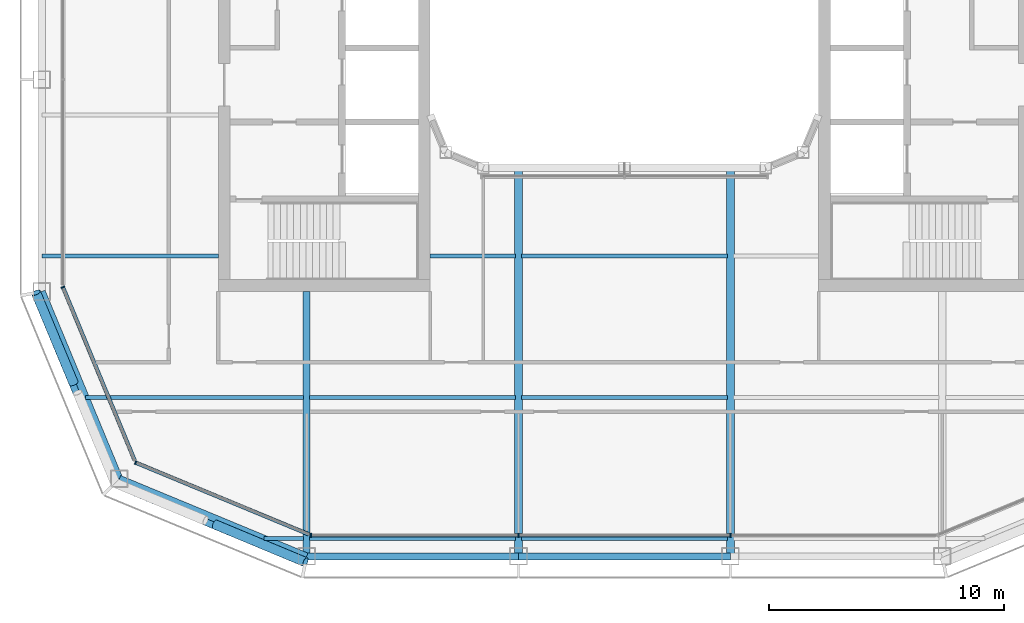
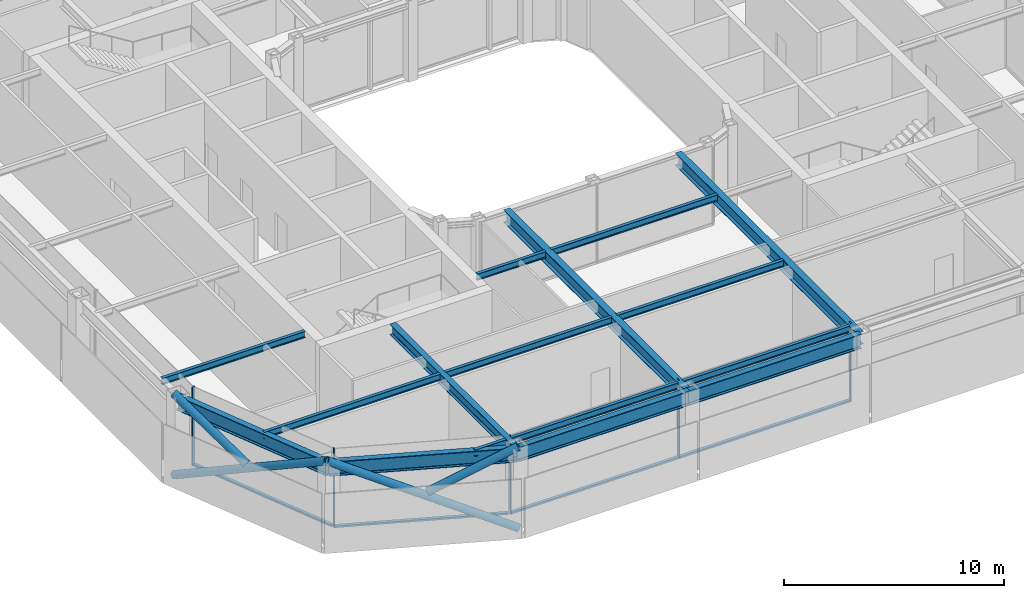
# One storey, part 2 of 17: 16 beams, 13 members, 3 elements without a shape of their own.
"""IFC4 building model written with IfcOpenShell, lengths in metres."""

from ifc_helpers import new_model, si_unit, direction, frame, origin, origin_2d, place, context, subcontext, project, spatial, rectangle, hollow_circle, i_section, extrude, material, layer, layer_set, material_profile, profile_set, type_object, element, aggregate, save


model = new_model("IFC4")

# Units and contexts
model_context = context("Model", 3, precision=1e-05, world=origin(), true_north=direction((0.0, 1.0)))
body_context = subcontext(model_context, "Body", "Model", "MODEL_VIEW")
ifc_project = project(units=[si_unit("LENGTHUNIT", "METRE"), si_unit("AREAUNIT", "SQUARE_METRE"), si_unit("VOLUMEUNIT", "CUBIC_METRE"), si_unit("PLANEANGLEUNIT", "RADIAN"), si_unit("MASSUNIT", "GRAM", prefix="KILO")], contexts=[model_context])

# Site, building, storey
site_placement = place(None, origin())
site = spatial("IfcSite", under=ifc_project, at=site_placement, CompositionType="ELEMENT")
building_placement = place(site_placement, origin())
building = spatial("IfcBuilding", under=site, at=building_placement, Name="Siwar Civic Tower", CompositionType="ELEMENT")
storey_placement = place(building_placement, frame((0.0, 0.0, 289.699951171875)))
storey = spatial("IfcBuildingStorey", under=building, at=storey_placement, Name="L62", CompositionType="ELEMENT", Elevation=289.699951171875)

# Curtain wall, members
ifc_material_1 = material(Name="Aluminium and glass", Category="aluminium")
ifc_layer_1 = layer(ifc_material_1, 0.159912109375)
ifc_layer_set_1 = layer_set([ifc_layer_1], Name="Aluminium and glass")
curtain_wall_type_1 = type_object("IfcCurtainWallType", Name="ENV-CW-D", PredefinedType="NOTDEFINED", material=ifc_layer_set_1)
curtain_wall_1_placement = place(storey_placement, origin())
curtain_wall_1 = element("IfcCurtainWall", 1, at=curtain_wall_1_placement, inside=storey, type_object=curtain_wall_type_1, Name="Curtain wall D S", PredefinedType="NOTDEFINED")
ifc_material_2 = material(Name="Aluminium 6063-T6", Category="aluminium")
ifc_material_profile_1 = material_profile(ifc_material_2, rectangle(XDim=0.159912109375, YDim=0.06005859375, at=origin_2d()), Name="AL 160x60")
ifc_profile_set_1 = profile_set([ifc_material_profile_1], Name="Aluminium 6063-T6")
member_type_1 = type_object("IfcMemberType", Name="ENV-MULLION-D", PredefinedType="MULLION", material=ifc_profile_set_1)
member_1_placement = place(storey_placement, frame((-13.321044921875, -23.85009765625, 0.0), z_axis=(0.0, 0.0, 1.0), x_axis=(0.0, 1.0, 0.0)))
member_1 = element("IfcMember", 2, at=member_1_placement, type_object=member_type_1, Name="Mullion D S 1", PredefinedType="MULLION", context=body_context, shape_type="SweptSolid", body=[
    extrude(rectangle(XDim=0.159912109375, YDim=0.06005859375, at=origin_2d()), origin(), (0.0, 0.0, 1.0), 4.35009765625),
])
member_2_placement = place(storey_placement, frame((-4.5, -23.85009765625, 0.0), z_axis=(0.0, 0.0, 1.0), x_axis=(0.0, 1.0, 0.0)))
member_2 = element("IfcMember", 3, at=member_2_placement, type_object=member_type_1, Name="Mullion D S 2", PredefinedType="MULLION", context=body_context, shape_type="SweptSolid", body=[
    extrude(rectangle(XDim=0.159912109375, YDim=0.06005859375, at=origin_2d()), origin(), (0.0, 0.0, 1.0), 4.35009765625),
])
member_3_placement = place(storey_placement, frame((4.5, -23.85009765625, 0.0), z_axis=(0.0, 0.0, 1.0), x_axis=(0.0, 1.0, 0.0)))
member_3 = element("IfcMember", 4, at=member_3_placement, type_object=member_type_1, Name="Mullion D S 3", PredefinedType="MULLION", context=body_context, shape_type="SweptSolid", body=[
    extrude(rectangle(XDim=0.159912109375, YDim=0.06005859375, at=origin_2d()), origin(), (0.0, 0.0, 1.0), 4.35009765625),
])

# Curtain wall, member
ifc_material_3 = material(Name="Aluminium clad insulated panel", Category="aluminium")
ifc_layer_2 = layer(ifc_material_3, 0.159912109375)
ifc_layer_set_2 = layer_set([ifc_layer_2], Name="Aluminium clad insulated panel")
curtain_wall_type_2 = type_object("IfcCurtainWallType", Name="ENV-CW-DX", PredefinedType="NOTDEFINED", material=ifc_layer_set_2)
curtain_wall_2_placement = place(storey_placement, origin())
curtain_wall_2 = element("IfcCurtainWall", 5, at=curtain_wall_2_placement, inside=storey, type_object=curtain_wall_type_2, Name="Curtain wall D SW1", PredefinedType="NOTDEFINED")
member_4_placement = place(storey_placement, frame((-23.85009765625, -13.321044921875, 0.0), z_axis=(0.0, 0.0, 1.0), x_axis=(0.923879532511, 0.382683432365, 0.0)))
member_4 = element("IfcMember", 6, at=member_4_placement, type_object=member_type_1, Name="Mullion D SW1 1", PredefinedType="MULLION", context=body_context, shape_type="SweptSolid", body=[
    extrude(rectangle(XDim=0.159912109375, YDim=0.06005859375, at=origin_2d()), origin(), (0.0, 0.0, 1.0), 4.35009765625),
])

curtain_wall_3_placement = place(storey_placement, origin())
curtain_wall_3 = element("IfcCurtainWall", 7, at=curtain_wall_3_placement, inside=storey, type_object=curtain_wall_type_2, Name="Curtain wall D SW2", PredefinedType="NOTDEFINED")
member_5_placement = place(storey_placement, frame((-20.76611328125, -20.76611328125, 0.0), z_axis=(0.0, 0.0, 1.0), x_axis=(0.382683432365, 0.923879532511, 0.0)))
member_5 = element("IfcMember", 8, at=member_5_placement, type_object=member_type_1, Name="Mullion D SW2 1", PredefinedType="MULLION", context=body_context, shape_type="SweptSolid", body=[
    extrude(rectangle(XDim=0.159912109375, YDim=0.06005859375, at=origin_2d()), origin(), (0.0, 0.0, 1.0), 4.35009765625),
])

# Member
ifc_material_4 = material(Name="Aluminium 6063-T6", Category="aluminium")
ifc_material_profile_2 = material_profile(ifc_material_4, rectangle(XDim=0.159912109375, YDim=0.10009765625, at=origin_2d()), Name="AL 160x100")
ifc_profile_set_2 = profile_set([ifc_material_profile_2], Name="Aluminium 6063-T6")
member_type_2 = type_object("IfcMemberType", Name="ENV-TRANSOM-D", PredefinedType="USERDEFINED", material=ifc_profile_set_2)
member_6_placement = place(storey_placement, frame((-13.291015625, -23.85009765625, 0.050048828125), z_axis=(1.0, 0.0, 0.0), x_axis=(0.0, 1.0, 0.0)))
member_6 = element("IfcMember", 9, at=member_6_placement, type_object=member_type_2, Name="Transom D S 1", ObjectType="TRANSOM", PredefinedType="USERDEFINED", context=body_context, shape_type="SweptSolid", body=[
    extrude(rectangle(XDim=0.159912109375, YDim=0.10009765625, at=origin_2d()), origin(), (0.0, 0.0, 1.0), 8.760986328125),
])

member_7_placement = place(storey_placement, frame((-4.469970703125, -23.85009765625, 0.050048828125), z_axis=(1.0, 0.0, 0.0), x_axis=(0.0, 1.0, 0.0)))
member_7 = element("IfcMember", 10, at=member_7_placement, type_object=member_type_2, Name="Transom D S 2", ObjectType="TRANSOM", PredefinedType="USERDEFINED", context=body_context, shape_type="SweptSolid", body=[
    extrude(rectangle(XDim=0.159912109375, YDim=0.10009765625, at=origin_2d()), origin(), (0.0, 0.0, 1.0), 8.93994140625),
])

aggregate(curtain_wall_1, [member_1, member_2, member_3, member_6, member_7])

member_8_placement = place(storey_placement, frame((-23.838623046875, -13.3486328125, 0.050048828125), z_axis=(0.382699790424, -0.923872756612, 0.0), x_axis=(0.923872756612, 0.382699790424, 0.0)))
member_8 = element("IfcMember", 11, at=member_8_placement, type_object=member_type_2, Name="Transom D SW1 1", ObjectType="TRANSOM", PredefinedType="USERDEFINED", context=body_context, shape_type="SweptSolid", body=[
    extrude(rectangle(XDim=0.159912109375, YDim=0.10009765625, at=origin_2d()), origin(), (0.0, 0.0, 1.0), 7.930908203125),
])

aggregate(curtain_wall_2, [member_4, member_8])

member_9_placement = place(storey_placement, frame((-20.738525390625, -20.777587890625, 0.050048828125), z_axis=(0.923883640343, -0.382673515031, 0.0), x_axis=(0.382673515031, 0.923883640343, 0.0)))
member_9 = element("IfcMember", 12, at=member_9_placement, type_object=member_type_2, Name="Transom D SW2 1", ObjectType="TRANSOM", PredefinedType="USERDEFINED", context=body_context, shape_type="SweptSolid", body=[
    extrude(rectangle(XDim=0.159912109375, YDim=0.10009765625, at=origin_2d()), origin(), (0.0, 0.0, 1.0), 7.930908203125),
])

aggregate(curtain_wall_3, [member_5, member_9])

# Members
ifc_material_5 = material(Name="Steel S355", Category="steel")
ifc_material_profile_3 = material_profile(ifc_material_5, hollow_circle(Radius=0.203125, WallThickness=0.01611328125, at=origin_2d()), Name="CHS406.4x16")
ifc_profile_set_3 = profile_set([ifc_material_profile_3], Name="Steel S355")
member_type_3 = type_object("IfcMemberType", Name="STR-BR-CHS406.4x16", PredefinedType="BRACE", material=ifc_profile_set_3)
member_10_placement = place(storey_placement, frame((-13.548828125, -24.9951171875, 0.0), z_axis=(-0.821142553604, 0.341671493852, 0.457149315816), x_axis=(-0.384163874976, -0.923264922524, 0.0)))
element("IfcMember", 13, at=member_10_placement, inside=storey, type_object=member_type_3, Name="L62/brc/DSW1-1-0-1", PredefinedType="BRACE", context=body_context, shape_type="SweptSolid", body=[
    extrude(hollow_circle(Radius=0.203125, WallThickness=0.01611328125, at=origin_2d()), origin(), (0.0, 0.0, 1.0), 9.843505859375),
])
member_11_placement = place(storey_placement, frame((-17.38916015625, -23.397216796875, 2.362060546875), z_axis=(0.821149689876, -0.341667178655, 0.457139722456), x_axis=(0.384156893273, 0.923267827529, 0.0)))
element("IfcMember", 14, at=member_11_placement, inside=storey, type_object=member_type_3, Name="L62/brc/DSW1-1-0-3", PredefinedType="BRACE", context=body_context, shape_type="SweptSolid", body=[
    extrude(hollow_circle(Radius=0.203125, WallThickness=0.01611328125, at=origin_2d()), origin(), (0.0, 0.0, 1.0), 4.6767578125),
])
member_12_placement = place(storey_placement, frame((-24.9951171875, -13.548828125, 0.0), z_axis=(0.341671493852, -0.821142553604, 0.457149315816), x_axis=(0.923264922524, 0.384163874976, 0.0)))
element("IfcMember", 15, at=member_12_placement, inside=storey, type_object=member_type_3, Name="L62/brc/DSW1-1-0-0", PredefinedType="BRACE", context=body_context, shape_type="SweptSolid", body=[
    extrude(hollow_circle(Radius=0.203125, WallThickness=0.01611328125, at=origin_2d()), origin(), (0.0, 0.0, 1.0), 9.843505859375),
])
member_13_placement = place(storey_placement, frame((-23.397216796875, -17.38916015625, 2.362060546875), z_axis=(-0.341667178655, 0.821149689876, 0.457139722456), x_axis=(-0.923267827529, -0.384156893273, 0.0)))
element("IfcMember", 16, at=member_13_placement, inside=storey, type_object=member_type_3, Name="L62/brc/DSW1-1-0-5", PredefinedType="BRACE", context=body_context, shape_type="SweptSolid", body=[
    extrude(hollow_circle(Radius=0.203125, WallThickness=0.01611328125, at=origin_2d()), origin(), (0.0, 0.0, 1.0), 4.6767578125),
])

# Beams
ifc_material_6 = material(Name="Steel S355", Category="steel")
ifc_material_profile_4 = material_profile(ifc_material_6, i_section(OverallWidth=0.169921875, OverallDepth=0.360107421875, WebThickness=0.008056640625, FlangeThickness=0.0126953125, FilletRadius=0.01806640625, at=origin_2d()), Name="IPE360")
ifc_profile_set_4 = profile_set([ifc_material_profile_4], Name="Steel S355")
beam_type_1 = type_object("IfcBeamType", Name="STR-FB-IPE360", PredefinedType="JOIST", material=ifc_profile_set_4)
beam_1_placement = place(storey_placement, frame((-15.310546875, -24.0, 4.170166015625), z_axis=(1.0, 0.0, 0.0), x_axis=(0.0, 1.0, 0.0)))
element("IfcBeam", 17, at=beam_1_placement, inside=storey, type_object=beam_type_1, Name="L62/bm/F001", PredefinedType="JOIST", context=body_context, shape_type="SweptSolid", body=[
    extrude(i_section(OverallWidth=0.169921875, OverallDepth=0.360107421875, WebThickness=0.008056640625, FlangeThickness=0.0126953125, FilletRadius=0.01806640625, at=origin_2d()), origin(), (0.0, 0.0, 1.0), 1.6806640625),
])
for number, where, z_axis, x_axis, name in (
    (18, (-13.3701171875, -24.0, 4.170166015625), (1.0, 0.0, 0.0), (0.0, 1.0, 0.0), "L62/bm/F002"),
    (19, (-4.3701171875, -24.0, 4.170166015625), (1.0, 0.0, 0.0), (0.0, 1.0, 0.0), "L62/bm/F003"),
):
    element("IfcBeam", number, at=place(storey_placement, frame(where, z_axis=z_axis, x_axis=x_axis)), inside=storey, type_object=beam_type_1, Name=name, PredefinedType="JOIST", context=body_context, shape_type="SweptSolid", body=[
        extrude(i_section(OverallWidth=0.169921875, OverallDepth=0.360107421875, WebThickness=0.008056640625, FlangeThickness=0.0126953125, FilletRadius=0.01806640625, at=origin_2d()), origin(), (0.0, 0.0, 1.0), 8.740234375),
    ])
beam_2_placement = place(storey_placement, frame((-22.885986328125, -18.0, 4.170166015625), z_axis=(1.0, 0.0, 0.0), x_axis=(0.0, 1.0, 0.0)))
element("IfcBeam", 20, at=beam_2_placement, inside=storey, type_object=beam_type_1, Name="L62/bm/F006", PredefinedType="JOIST", context=body_context, shape_type="SweptSolid", body=[
    extrude(i_section(OverallWidth=0.169921875, OverallDepth=0.360107421875, WebThickness=0.008056640625, FlangeThickness=0.0126953125, FilletRadius=0.01806640625, at=origin_2d()), origin(), (0.0, 0.0, 1.0), 9.256103515625),
])
for number, where, z_axis, x_axis, name in (
    (21, (-13.3701171875, -18.0, 4.170166015625), (1.0, 0.0, 0.0), (0.0, 1.0, 0.0), "L62/bm/F007"),
    (22, (-4.3701171875, -18.0, 4.170166015625), (1.0, 0.0, 0.0), (0.0, 1.0, 0.0), "L62/bm/F008"),
):
    element("IfcBeam", number, at=place(storey_placement, frame(where, z_axis=z_axis, x_axis=x_axis)), inside=storey, type_object=beam_type_1, Name=name, PredefinedType="JOIST", context=body_context, shape_type="SweptSolid", body=[
        extrude(i_section(OverallWidth=0.169921875, OverallDepth=0.360107421875, WebThickness=0.008056640625, FlangeThickness=0.0126953125, FilletRadius=0.01806640625, at=origin_2d()), origin(), (0.0, 0.0, 1.0), 8.740234375),
    ])
beam_3_placement = place(storey_placement, frame((-24.75, -12.0, 4.170166015625), z_axis=(1.0, 0.0, 0.0), x_axis=(0.0, 1.0, 0.0)))
element("IfcBeam", 23, at=beam_3_placement, inside=storey, type_object=beam_type_1, Name="L62/bm/F011", PredefinedType="JOIST", context=body_context, shape_type="SweptSolid", body=[
    extrude(i_section(OverallWidth=0.169921875, OverallDepth=0.360107421875, WebThickness=0.008056640625, FlangeThickness=0.0126953125, FilletRadius=0.01806640625, at=origin_2d()), origin(), (0.0, 0.0, 1.0), 7.5),
])
beam_4_placement = place(storey_placement, frame((-8.25, -12.0, 4.170166015625), z_axis=(1.0, 0.0, 0.0), x_axis=(0.0, 1.0, 0.0)))
element("IfcBeam", 24, at=beam_4_placement, inside=storey, type_object=beam_type_1, Name="L62/bm/F012", PredefinedType="JOIST", context=body_context, shape_type="SweptSolid", body=[
    extrude(i_section(OverallWidth=0.169921875, OverallDepth=0.360107421875, WebThickness=0.008056640625, FlangeThickness=0.0126953125, FilletRadius=0.01806640625, at=origin_2d()), origin(), (0.0, 0.0, 1.0), 3.6201171875),
])
beam_5_placement = place(storey_placement, frame((-4.3701171875, -12.0, 4.170166015625), z_axis=(1.0, 0.0, 0.0), x_axis=(0.0, 1.0, 0.0)))
element("IfcBeam", 25, at=beam_5_placement, inside=storey, type_object=beam_type_1, Name="L62/bm/F013", PredefinedType="JOIST", context=body_context, shape_type="SweptSolid", body=[
    extrude(i_section(OverallWidth=0.169921875, OverallDepth=0.360107421875, WebThickness=0.008056640625, FlangeThickness=0.0126953125, FilletRadius=0.01806640625, at=origin_2d()), origin(), (0.0, 0.0, 1.0), 8.740234375),
])
ifc_material_7 = material(Name="Steel S355", Category="steel")
ifc_material_profile_5 = material_profile(ifc_material_7, i_section(OverallWidth=0.300048828125, OverallDepth=0.60009765625, WebThickness=0.015380859375, FlangeThickness=0.030029296875, FilletRadius=0.027099609375, at=origin_2d()), Name="HEB600")
ifc_profile_set_5 = profile_set([ifc_material_profile_5], Name="Steel S355")
beam_type_2 = type_object("IfcBeamType", Name="STR-PG-HEB600", PredefinedType="BEAM", material=ifc_profile_set_5)
beam_6_placement = place(storey_placement, frame((-13.5, -24.75, 4.050048828125), z_axis=(0.0, 1.0, 0.0), x_axis=(-1.0, 0.0, 0.0)))
element("IfcBeam", 26, at=beam_6_placement, inside=storey, type_object=beam_type_2, Name="L62/bm/G01", PredefinedType="BEAM", context=body_context, shape_type="SweptSolid", body=[
    extrude(i_section(OverallWidth=0.300048828125, OverallDepth=0.60009765625, WebThickness=0.015380859375, FlangeThickness=0.030029296875, FilletRadius=0.027099609375, at=origin_2d()), origin(), (0.0, 0.0, 1.0), 11.25),
])
ifc_material_8 = material(Name="Steel S355", Category="steel")
ifc_material_profile_6 = material_profile(ifc_material_8, i_section(OverallWidth=0.340087890625, OverallDepth=0.699951171875, WebThickness=0.013916015625, FlangeThickness=0.030029296875, at=origin_2d()), Name="PG700x340x14x30")
ifc_profile_set_6 = profile_set([ifc_material_profile_6], Name="Steel S355")
beam_type_3 = type_object("IfcBeamType", Name="STR-PG-PG700x340x14x30", PredefinedType="BEAM", material=ifc_profile_set_6)
for number, where, z_axis, x_axis, name in (
    (27, (-4.5, -24.75, 4.0), (0.0, 1.0, 0.0), (-1.0, 0.0, 0.0), "L62/bm/G03"),
    (28, (4.5, -24.75, 4.0), (0.0, 1.0, 0.0), (-1.0, 0.0, 0.0), "L62/bm/G05"),
):
    element("IfcBeam", number, at=place(storey_placement, frame(where, z_axis=z_axis, x_axis=x_axis)), inside=storey, type_object=beam_type_3, Name=name, PredefinedType="BEAM", context=body_context, shape_type="SweptSolid", body=[
        extrude(i_section(OverallWidth=0.340087890625, OverallDepth=0.699951171875, WebThickness=0.013916015625, FlangeThickness=0.030029296875, at=origin_2d()), origin(), (0.0, 0.0, 1.0), 16.5),
    ])
ifc_material_9 = material(Name="Steel S355", Category="steel")
ifc_material_profile_7 = material_profile(ifc_material_9, i_section(OverallWidth=0.300048828125, OverallDepth=0.800048828125, WebThickness=0.017578125, FlangeThickness=0.032958984375, FilletRadius=0.030029296875, at=origin_2d()), Name="HEB800")
ifc_profile_set_7 = profile_set([ifc_material_profile_7], Name="Steel S355")
beam_type_4 = type_object("IfcBeamType", Name="STR-SB-HEB800", PredefinedType="BEAM", material=ifc_profile_set_7)
for number, where, z_axis, x_axis, name in (
    (29, (-13.5, -24.75, 3.949951171875), (1.0, 0.0, 0.0), (0.0, 1.0, 0.0), "L62/bm/SS-0"),
    (30, (-4.5, -24.75, 3.949951171875), (1.0, 0.0, 0.0), (0.0, 1.0, 0.0), "L62/bm/SS-1"),
):
    element("IfcBeam", number, at=place(storey_placement, frame(where, z_axis=z_axis, x_axis=x_axis)), inside=storey, type_object=beam_type_4, Name=name, PredefinedType="BEAM", context=body_context, shape_type="SweptSolid", body=[
        extrude(i_section(OverallWidth=0.300048828125, OverallDepth=0.800048828125, WebThickness=0.017578125, FlangeThickness=0.032958984375, FilletRadius=0.030029296875, at=origin_2d()), origin(), (0.0, 0.0, 1.0), 9.0),
    ])
for number, where, z_axis, x_axis, name in (
    (31, (-24.75, -13.5, 3.949951171875), (0.382699877515, -0.923872720536, 0.0), (0.923872720536, 0.382699877515, 0.0), "L62/bm/SSW1-0"),
    (32, (-21.454833984375, -21.454833984375, 3.949951171875), (0.923872720536, -0.382699877515, 0.0), (0.382699877515, 0.923872720536, 0.0), "L62/bm/SSW2-0"),
):
    element("IfcBeam", number, at=place(storey_placement, frame(where, z_axis=z_axis, x_axis=x_axis)), inside=storey, type_object=beam_type_4, Name=name, PredefinedType="BEAM", context=body_context, shape_type="SweptSolid", body=[
        extrude(i_section(OverallWidth=0.300048828125, OverallDepth=0.800048828125, WebThickness=0.017578125, FlangeThickness=0.032958984375, FilletRadius=0.030029296875, at=origin_2d()), origin(), (0.0, 0.0, 1.0), 8.6103515625),
    ])

save(model, "model.ifc")
